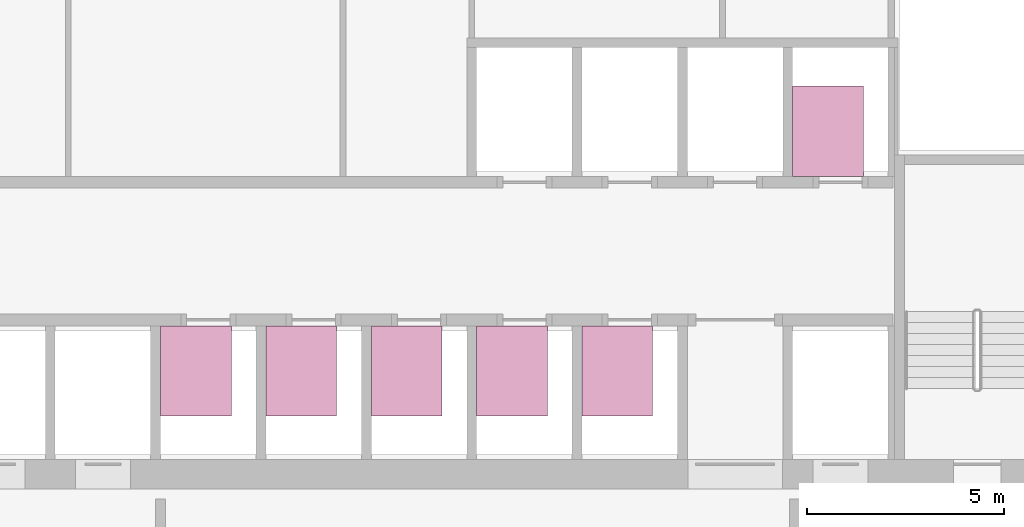
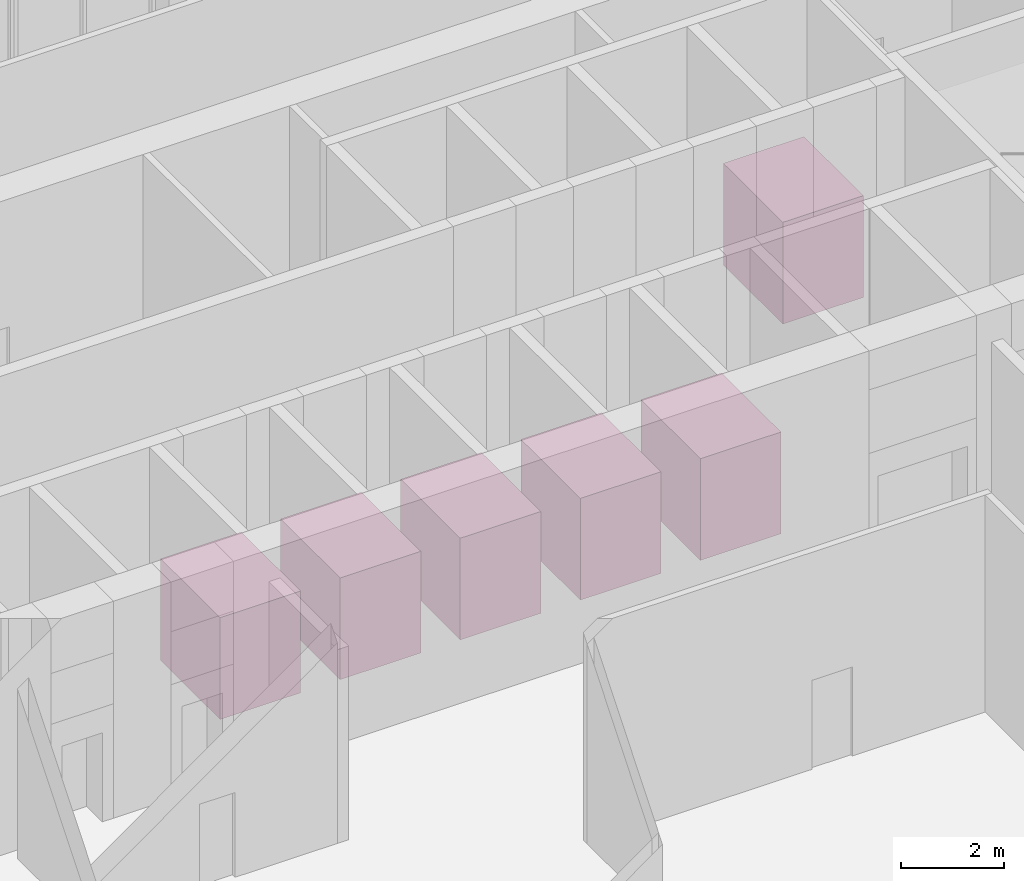
# One storey, part 18 of 18: 6 transport elements.
"""IFC4 building model written with IfcOpenShell, lengths in metres."""

from ifc_helpers import new_model, si_unit, direction, frame, origin, origin_2d, place, context, subcontext, project, spatial, rectangle, extrude, source, transform, mapped, material, type_object, element, save


model = new_model("IFC4")

# Units and contexts
model_context = context("Model", 3, precision=1e-05, world=origin(), true_north=direction((0.0, 1.0)))
body_context = subcontext(model_context, "Body", "Model", "MODEL_VIEW")
ifc_project = project(units=[si_unit("LENGTHUNIT", "METRE"), si_unit("AREAUNIT", "SQUARE_METRE"), si_unit("VOLUMEUNIT", "CUBIC_METRE"), si_unit("PLANEANGLEUNIT", "RADIAN"), si_unit("MASSUNIT", "GRAM", prefix="KILO")], contexts=[model_context])

# Site, building, storey
site_placement = place(None, origin())
site = spatial("IfcSite", under=ifc_project, at=site_placement, CompositionType="ELEMENT")
building_placement = place(site_placement, origin())
building = spatial("IfcBuilding", under=site, at=building_placement, Name="Kilnfold Tower and Market Hall", CompositionType="ELEMENT")
storey_placement = place(building_placement, frame((0.0, 0.0, 233.60009765625)))
storey = spatial("IfcBuildingStorey", under=building, at=storey_placement, Name="L56", CompositionType="ELEMENT", Elevation=233.60009765625)

# Transport elements
ifc_material = material(Name="Stainless steel 304 cab", Category="steel")
transport_element_type = type_object("IfcTransportElementType", Name="LIFT HR 1600 KG", PredefinedType="ELEVATOR", material=ifc_material)
shared_shape = source(origin(), body_context, "Body", "SweptSolid", [
    extrude(rectangle(XDim=1.800048828125, YDim=2.300048828125, at=origin_2d()), origin(), (0.0, 0.0, 1.0), 2.39990234375),
])
for number, where, z_axis, x_axis, name in (
    (1, (-4.625, 11.25, 0.0), (0.0, 0.0, 1.0), (1.0, 0.0, 0.0), "Lift HR1"),
    (2, (-1.945068359375, 11.25, 0.0), (0.0, 0.0, 1.0), (1.0, 0.0, 0.0), "Lift HR2"),
    (3, (0.735107421875, 11.25, 0.0), (0.0, 0.0, 1.0), (1.0, 0.0, 0.0), "Lift HR3"),
    (4, (3.4150390625, 11.25, 0.0), (0.0, 0.0, 1.0), (1.0, 0.0, 0.0), "Lift HR4"),
    (5, (6.094970703125, 11.25, 0.0), (0.0, 0.0, 1.0), (1.0, 0.0, 0.0), "Lift HR5"),
    (6, (11.455078125, 17.35009765625, 0.0), (0.0, 0.0, 1.0), (1.0, 0.0, 0.0), "Lift HR6"),
):
    element("IfcTransportElement", number, at=place(storey_placement, frame(where, z_axis=z_axis, x_axis=x_axis)), inside=storey, type_object=transport_element_type, Name=name, PredefinedType="ELEVATOR", context=body_context, shape_type="MappedRepresentation", body=[
        mapped(shared_shape, transform((0.0, 0.0, 0.0))),
    ])

save(model, "model.ifc")
